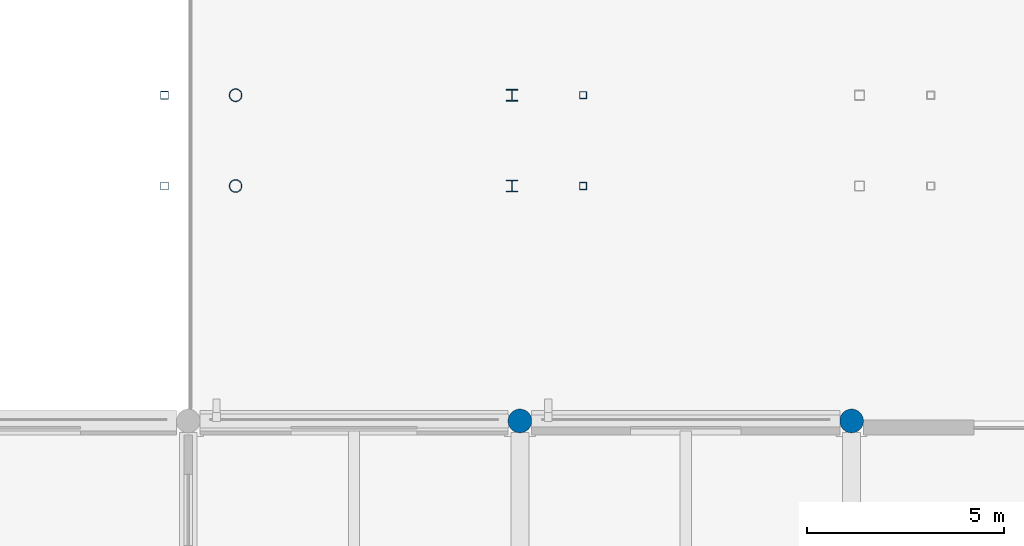
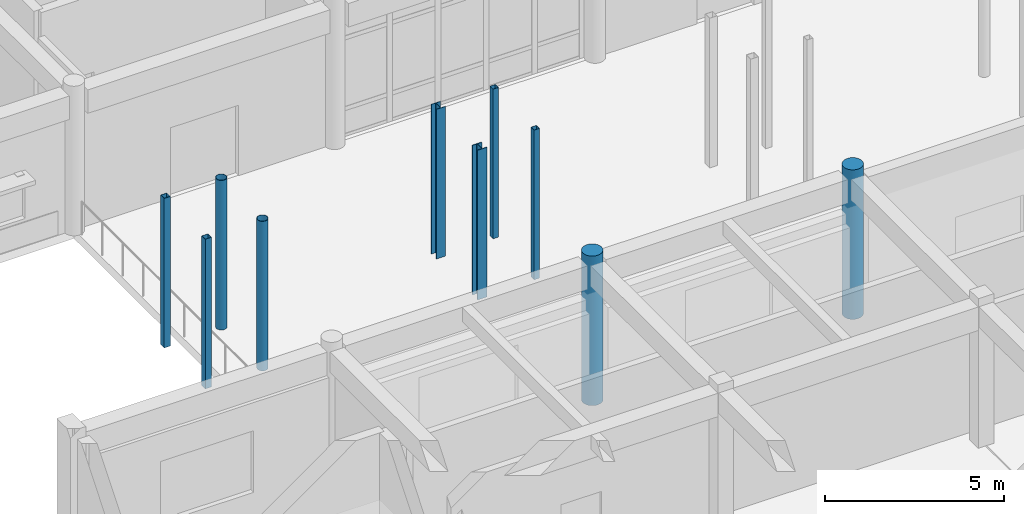
# One storey, part 3 of 121: 10 columns.
"""IFC4 building model written with IfcOpenShell, lengths in metres."""

import ifcopenshell
import ifcopenshell.guid

model = None  # the IFC model being written
_history = None  # IfcOwnerHistory: only IFC2X3 demands one
_inside = {}  # id of a spatial element -> (the spatial element, [elements in it])
_under = {}  # id of a project, library or spatial element -> (it, [spatial elements below it])
_declared = {}  # id of a project -> (the project, [libraries it declares])
_typed = {}  # id of a type object -> (the type object, [elements of that type])
_made_of = {}  # id of a material, layer set ... -> (it, [elements and type objects made of it])


def new_model(schema):
    """Start an empty IFC model of exactly this schema.

    Asked for "IFC4X3", IfcOpenShell would pick the latest addendum, in which some entities
    have other attributes; the version numbers below select the first issue.
    IFC2X3 requires an IfcOwnerHistory on every rooted entity: one is made here for all.
    """
    global model, _history
    if schema == "IFC4X3":
        model = ifcopenshell.file(schema_version=(4, 3, 0, 0))
    else:
        model = ifcopenshell.file(schema=schema)
    _inside.clear()
    _under.clear()
    _declared.clear()
    _typed.clear()
    _made_of.clear()
    _history = None
    if model.schema == "IFC2X3":
        org = make("IfcOrganization", Name="unknown")
        user = make(
            "IfcPersonAndOrganization",
            ThePerson=make("IfcPerson", FamilyName="unknown"),
            TheOrganization=org,
        )
        app = make(
            "IfcApplication",
            ApplicationDeveloper=org,
            Version="unknown",
            ApplicationFullName="unknown",
            ApplicationIdentifier="unknown",
        )
        _history = make(
            "IfcOwnerHistory",
            OwningUser=user,
            OwningApplication=app,
            ChangeAction="ADDED",
            CreationDate=0,
        )
    return model


def make(cls, **values):
    """One entity of the class cls with the attributes given. An attribute that is None is left unset."""
    return model.create_entity(
        cls, **{name: value for name, value in values.items() if value is not None}
    )


def rooted(cls, **values):
    """An entity with a GlobalId (a new one), such as an element, a storey or a relation."""
    return make(cls, GlobalId=ifcopenshell.guid.new(), OwnerHistory=_history, **values)


def si_unit(unit_type, name, prefix=None):
    """IfcSIUnit, for example si_unit("LENGTHUNIT", "METRE", prefix="MILLI")."""
    return make("IfcSIUnit", UnitType=unit_type, Prefix=prefix, Name=name)


def assignment(units):
    """IfcUnitAssignment: the units of a project."""
    return None if units is None else make("IfcUnitAssignment", Units=units)


def point(xyz):
    """IfcCartesianPoint."""
    return None if xyz is None else make("IfcCartesianPoint", Coordinates=xyz)


def direction(xyz):
    """IfcDirection."""
    return None if xyz is None else make("IfcDirection", DirectionRatios=xyz)


def frame(location, z_axis=None, x_axis=None):
    """IfcAxis2Placement3D, a coordinate frame: its origin and axes. An axis left out is left unset."""
    return make(
        "IfcAxis2Placement3D",
        Location=point(location),
        Axis=direction(z_axis),
        RefDirection=direction(x_axis),
    )


def frame_2d(location, x_axis=None):
    """IfcAxis2Placement2D, a coordinate frame in the plane: its origin and x axis."""
    return make(
        "IfcAxis2Placement2D", Location=point(location), RefDirection=direction(x_axis)
    )


def origin():
    """The frame at (0, 0, 0) with its axes left unset."""
    return frame((0.0, 0.0, 0.0))


def origin_2d():
    """The frame at (0, 0) in the plane with its x axis left unset."""
    return frame_2d((0.0, 0.0))


def place(relative_to, where):
    """IfcLocalPlacement: puts the frame where relative to a parent placement (None: the world)."""
    return make(
        "IfcLocalPlacement", PlacementRelTo=relative_to, RelativePlacement=where
    )


def context(
    kind, dimensions, precision=None, world=None, true_north=None, identifier=None
):
    """IfcGeometricRepresentationContext, for example the 3D "Model" context."""
    return make(
        "IfcGeometricRepresentationContext",
        ContextIdentifier=identifier,
        ContextType=kind,
        CoordinateSpaceDimension=dimensions,
        Precision=precision,
        WorldCoordinateSystem=world,
        TrueNorth=true_north,
    )


def subcontext(parent, identifier, kind, view, scale=None):
    """IfcGeometricRepresentationSubContext, for example "Body" below "Model"."""
    return make(
        "IfcGeometricRepresentationSubContext",
        ContextIdentifier=identifier,
        ContextType=kind,
        ParentContext=parent,
        TargetScale=scale,
        TargetView=view,
    )


def project(units=None, contexts=None):
    """IfcProject with its units and contexts."""
    return rooted(
        "IfcProject",
        Name="project",
        RepresentationContexts=contexts,
        UnitsInContext=assignment(units),
    )


def spatial(cls, under=None, at=None, **own):
    """A site, building, storey or space (cls), placed at a placement, below another one or the project."""
    s = rooted(cls, ObjectPlacement=at, **own)
    if under is not None:
        _under.setdefault(under.id(), (under, []))[1].append(s)
    return s


def profile(cls, at=None, kind="AREA", **sizes):
    """A parametric profile (cls). Its sizes go by their IFC names, for example OverallWidth=200.0."""
    return make(cls, ProfileType=kind, Position=at, **sizes)


def hollow_rectangle(**sizes):
    """IfcRectangleHollowProfileDef."""
    return profile("IfcRectangleHollowProfileDef", **sizes)


def circle(**sizes):
    """IfcCircleProfileDef."""
    return profile("IfcCircleProfileDef", **sizes)


def hollow_circle(**sizes):
    """IfcCircleHollowProfileDef."""
    return profile("IfcCircleHollowProfileDef", **sizes)


def i_section(**sizes):
    """IfcIShapeProfileDef."""
    return profile("IfcIShapeProfileDef", **sizes)


def extrude(swept, where, along, depth):
    """IfcExtrudedAreaSolid: the profile swept, set in the frame where, extruded along a direction by depth."""
    return make(
        "IfcExtrudedAreaSolid",
        SweptArea=swept,
        Position=where,
        ExtrudedDirection=direction(along),
        Depth=depth,
    )


def shape(context_of_items, identifier, shape_type, items):
    """IfcShapeRepresentation: the items that make up one representation, for example the "Body"."""
    return make(
        "IfcShapeRepresentation",
        ContextOfItems=context_of_items,
        RepresentationIdentifier=identifier,
        RepresentationType=shape_type,
        Items=items,
    )


def material(Name=None, Category=None):
    """IfcMaterial."""
    return make("IfcMaterial", Name=Name, Category=Category)


def material_profile(
    of_material, cross_section, Name=None, Category=None, Priority=None
):
    """IfcMaterialProfile: a cross section and its material."""
    return make(
        "IfcMaterialProfile",
        Name=Name,
        Material=of_material,
        Profile=cross_section,
        Priority=Priority,
        Category=Category,
    )


def profile_set(profiles, Name=None, composite=None):
    """IfcMaterialProfileSet."""
    return make(
        "IfcMaterialProfileSet",
        Name=Name,
        MaterialProfiles=profiles,
        CompositeProfile=composite,
    )


def made_of(thing, what):
    """Note that an element or type object is made of a material, layer set ...; save() writes the relation."""
    if what is not None:
        _made_of.setdefault(what.id(), (what, []))[1].append(thing)
    return thing


def type_object(cls, material=None, **own):
    """A type object (cls), such as IfcWallType, which elements share."""
    return made_of(rooted(cls, **own), material)


def element(
    cls,
    number,
    at=None,
    inside=None,
    cuts=None,
    type_object=None,
    material=None,
    context=None,
    identifier="Body",
    shape_type=None,
    held_by="IfcProductDefinitionShape",
    body=None,
    shapes=None,
    **own,
):
    """One element of the class cls, such as IfcWall. Its Tag is "e" and its number.

    at: its placement. inside: the storey or other place that contains it. cuts: it is an
    opening in that element (IfcRelVoidsElement). A single representation is given by context,
    identifier, shape_type and body (its items); several are given by shapes. held_by: the class
    of the entity that holds the representations. save() writes the other relations.
    """
    e = rooted(cls, Tag="e%d" % number, ObjectPlacement=at, **own)
    if body is not None:
        shapes = [shape(context, identifier, shape_type, body)]
    if shapes is not None:
        e.Representation = make(held_by, Representations=shapes)
    if inside is not None:
        _inside.setdefault(inside.id(), (inside, []))[1].append(e)
    if cuts is not None:
        rooted(
            "IfcRelVoidsElement", RelatingBuildingElement=cuts, RelatedOpeningElement=e
        )
    if type_object is not None:
        _typed.setdefault(type_object.id(), (type_object, []))[1].append(e)
    return made_of(e, material)


def aggregate(whole, parts):
    """IfcRelAggregates: a whole, such as a stair, and the parts it consists of."""
    return rooted("IfcRelAggregates", RelatingObject=whole, RelatedObjects=parts)


def save(model, path):
    """Write the relations noted so far, then the file.

    IfcRelAggregates (storeys below a building ...), IfcRelContainedInSpatialStructure (elements
    in a storey), IfcRelDefinesByType, IfcRelAssociatesMaterial and IfcRelDeclares: one each for
    every whole, place, type object, material and project.
    """
    for whole, parts in _under.values():
        aggregate(whole, parts)
    for where, things in _inside.values():
        rooted(
            "IfcRelContainedInSpatialStructure",
            RelatedElements=things,
            RelatingStructure=where,
        )
    for kind, things in _typed.values():
        rooted("IfcRelDefinesByType", RelatedObjects=things, RelatingType=kind)
    for what, things in _made_of.values():
        rooted("IfcRelAssociatesMaterial", RelatedObjects=things, RelatingMaterial=what)
    for by, libraries in _declared.values():
        rooted("IfcRelDeclares", RelatingContext=by, RelatedDefinitions=libraries)
    model.write(path)


model = new_model("IFC4")

# Units and contexts
model_context = context("Model", 3, precision=1e-05, world=origin(), true_north=direction((0.0, 1.0)))
body_context = subcontext(model_context, "Body", "Model", "MODEL_VIEW")
ifc_project = project(units=[si_unit("LENGTHUNIT", "METRE"), si_unit("AREAUNIT", "SQUARE_METRE"), si_unit("VOLUMEUNIT", "CUBIC_METRE"), si_unit("PLANEANGLEUNIT", "RADIAN"), si_unit("MASSUNIT", "GRAM", prefix="KILO")], contexts=[model_context])

# Site, building, storey
site_placement = place(None, origin())
site = spatial("IfcSite", under=ifc_project, at=site_placement, CompositionType="ELEMENT")
building_placement = place(site_placement, origin())
building = spatial("IfcBuilding", under=site, at=building_placement, Name="Malvenik Polytechnic", CompositionType="ELEMENT")
storey_placement = place(building_placement, origin())
storey = spatial("IfcBuildingStorey", under=building, at=storey_placement, Name="L00", CompositionType="ELEMENT", Elevation=0.0)

# Columns
ifc_material_1 = material(Name="Concrete C35/45", Category="concrete")
ifc_material_profile_1 = material_profile(ifc_material_1, circle(Radius=0.300048828125, at=origin_2d()), Name="RC COL D600")
ifc_profile_set_1 = profile_set([ifc_material_profile_1], Name="Concrete C35/45")
column_type_1 = type_object("IfcColumnType", Name="STR-COL-C-18", PredefinedType="COLUMN", material=ifc_profile_set_1)
for number, where, z_axis, x_axis, name in (
    (1, (42.0, 36.0, 0.0), (0.0, 0.0, 1.0), (1.0, 0.0, 0.0), "Column C-18 L00 (42.0,36.0)"),
    (2, (50.39990234375, 36.0, 0.0), (0.0, 0.0, 1.0), (1.0, 0.0, 0.0), "Column C-18 L00 (50.4,36.0)"),
):
    element("IfcColumn", number, at=place(storey_placement, frame(where, z_axis=z_axis, x_axis=x_axis)), inside=storey, type_object=column_type_1, Name=name, PredefinedType="COLUMN", context=body_context, shape_type="SweptSolid", body=[
        extrude(circle(Radius=0.300048828125, at=origin_2d()), origin(), (0.0, 0.0, 1.0), 5.10009765625),
    ])
ifc_material_2 = material(Name="Steel S355J2H", Category="steel")
ifc_material_profile_2 = material_profile(ifc_material_2, hollow_rectangle(XDim=0.199951171875, YDim=0.199951171875, WallThickness=0.010009765625, at=origin_2d()), Name="SHS 200x200x10.0")
ifc_profile_set_2 = profile_set([ifc_material_profile_2], Name="Steel S355J2H")
column_type_2 = type_object("IfcColumnType", Name="STR-SCOL-SC-02", PredefinedType="COLUMN", material=ifc_profile_set_2)
for number, where, z_axis, x_axis, name in (
    (3, (33.0, 41.949951171875, 0.0), (0.0, 0.0, 1.0), (1.0, 0.0, 0.0), "Bridge-Ramp Support Column SC-02 L00"),
    (4, (33.0, 44.25, 0.0), (0.0, 0.0, 1.0), (1.0, 0.0, 0.0), "Bridge-Ramp Support Column SC-02 L00"),
):
    element("IfcColumn", number, at=place(storey_placement, frame(where, z_axis=z_axis, x_axis=x_axis)), inside=storey, type_object=column_type_2, Name=name, PredefinedType="COLUMN", context=body_context, shape_type="SweptSolid", body=[
        extrude(hollow_rectangle(XDim=0.199951171875, YDim=0.199951171875, WallThickness=0.010009765625, at=origin_2d()), origin(), (0.0, 0.0, 1.0), 5.10009765625),
    ])
ifc_material_profile_3 = material_profile(ifc_material_2, hollow_circle(Radius=0.161865234375, WallThickness=0.012451171875, at=origin_2d()), Name="CHS 323.9x12.5")
ifc_profile_set_3 = profile_set([ifc_material_profile_3], Name="Steel S355J2H")
column_type_3 = type_object("IfcColumnType", Name="STR-SCOL-SC-04", PredefinedType="COLUMN", material=ifc_profile_set_3)
for number, where, z_axis, x_axis, name in (
    (5, (34.800048828125, 41.949951171875, 0.0), (0.0, 0.0, 1.0), (1.0, 0.0, 0.0), "Bridge-Ramp Support Column SC-04 L00"),
    (6, (34.800048828125, 44.25, 0.0), (0.0, 0.0, 1.0), (1.0, 0.0, 0.0), "Bridge-Ramp Support Column SC-04 L00"),
):
    element("IfcColumn", number, at=place(storey_placement, frame(where, z_axis=z_axis, x_axis=x_axis)), inside=storey, type_object=column_type_3, Name=name, PredefinedType="COLUMN", context=body_context, shape_type="SweptSolid", body=[
        extrude(hollow_circle(Radius=0.161865234375, WallThickness=0.012451171875, at=origin_2d()), origin(), (0.0, 0.0, 1.0), 5.10009765625),
    ])
ifc_material_3 = material(Name="Steel S355", Category="steel")
ifc_material_profile_4 = material_profile(ifc_material_3, i_section(OverallWidth=0.300048828125, OverallDepth=0.300048828125, WebThickness=0.010986328125, FlangeThickness=0.01904296875, FilletRadius=0.027099609375, at=origin_2d()), Name="HEB 300")
ifc_profile_set_4 = profile_set([ifc_material_profile_4], Name="Steel S355")
column_type_4 = type_object("IfcColumnType", Name="STR-SCOL-SC-05", PredefinedType="COLUMN", material=ifc_profile_set_4)
for number, where, z_axis, x_axis, name in (
    (7, (41.800048828125, 41.949951171875, 0.0), (0.0, 0.0, 1.0), (1.0, 0.0, 0.0), "Bridge-Ramp Support Column SC-05 L00"),
    (8, (41.800048828125, 44.25, 0.0), (0.0, 0.0, 1.0), (1.0, 0.0, 0.0), "Bridge-Ramp Support Column SC-05 L00"),
):
    element("IfcColumn", number, at=place(storey_placement, frame(where, z_axis=z_axis, x_axis=x_axis)), inside=storey, type_object=column_type_4, Name=name, PredefinedType="COLUMN", context=body_context, shape_type="SweptSolid", body=[
        extrude(i_section(OverallWidth=0.300048828125, OverallDepth=0.300048828125, WebThickness=0.010986328125, FlangeThickness=0.01904296875, FilletRadius=0.027099609375, at=origin_2d()), origin(), (0.0, 0.0, 1.0), 5.10009765625),
    ])
ifc_material_profile_5 = material_profile(ifc_material_2, hollow_rectangle(XDim=0.179931640625, YDim=0.179931640625, WallThickness=0.008056640625, at=origin_2d()), Name="SHS 180x180x8.0")
ifc_profile_set_5 = profile_set([ifc_material_profile_5], Name="Steel S355J2H")
column_type_5 = type_object("IfcColumnType", Name="STR-SCOL-SC-06", PredefinedType="COLUMN", material=ifc_profile_set_5)
for number, where, z_axis, x_axis, name in (
    (9, (43.60009765625, 41.949951171875, 0.0), (0.0, 0.0, 1.0), (1.0, 0.0, 0.0), "Bridge-Ramp Support Column SC-06 L00"),
    (10, (43.60009765625, 44.25, 0.0), (0.0, 0.0, 1.0), (1.0, 0.0, 0.0), "Bridge-Ramp Support Column SC-06 L00"),
):
    element("IfcColumn", number, at=place(storey_placement, frame(where, z_axis=z_axis, x_axis=x_axis)), inside=storey, type_object=column_type_5, Name=name, PredefinedType="COLUMN", context=body_context, shape_type="SweptSolid", body=[
        extrude(hollow_rectangle(XDim=0.179931640625, YDim=0.179931640625, WallThickness=0.008056640625, at=origin_2d()), origin(), (0.0, 0.0, 1.0), 5.10009765625),
    ])

save(model, "model.ifc")
